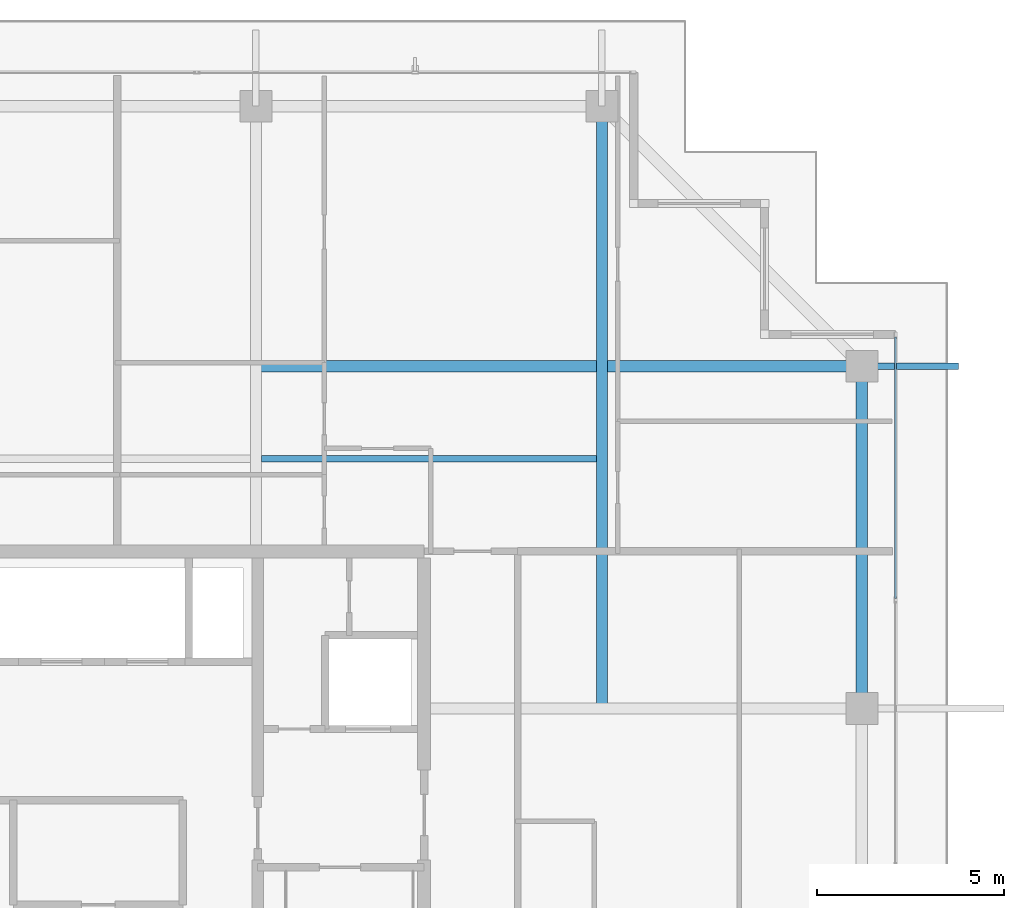
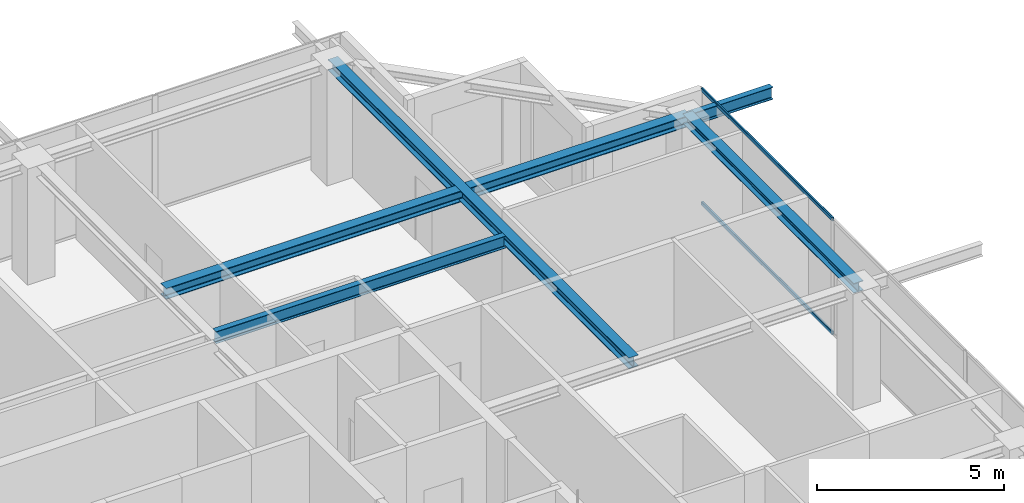
# One storey, part 21 of 36: 5 beams, 2 members, 1 element without a shape of its own.
"""IFC4 building model written with IfcOpenShell, lengths in metres."""

from ifc_helpers import new_model, si_unit, direction, frame, origin, origin_2d, place, context, subcontext, project, spatial, hollow_rectangle, i_section, extrude, source, transform, mapped, material, layer, layer_set, material_profile, profile_set, type_object, element, aggregate, save


model = new_model("IFC4")

# Units and contexts
model_context = context("Model", 3, precision=1e-05, world=origin(), true_north=direction((0.0, 1.0)))
body_context = subcontext(model_context, "Body", "Model", "MODEL_VIEW")
ifc_project = project(units=[si_unit("LENGTHUNIT", "METRE"), si_unit("AREAUNIT", "SQUARE_METRE"), si_unit("VOLUMEUNIT", "CUBIC_METRE"), si_unit("PLANEANGLEUNIT", "RADIAN"), si_unit("MASSUNIT", "GRAM", prefix="KILO")], contexts=[model_context])

# Site, building, storey
site_placement = place(None, origin())
site = spatial("IfcSite", under=ifc_project, at=site_placement, CompositionType="ELEMENT")
building_placement = place(site_placement, origin())
building = spatial("IfcBuilding", under=site, at=building_placement, Name="Serunith Strait Residences", CompositionType="ELEMENT")
storey_placement = place(building_placement, frame((0.0, 0.0, 338.0)))
storey = spatial("IfcBuildingStorey", under=building, at=storey_placement, Name="L84", CompositionType="ELEMENT", Elevation=338.0)

# Beams
ifc_material_1 = material(Name="Steel S355J2", Category="steel")
ifc_material_profile_1 = material_profile(ifc_material_1, i_section(OverallWidth=0.300048828125, OverallDepth=0.360107421875, WebThickness=0.012451171875, FlangeThickness=0.0224609375, FilletRadius=0.027099609375, at=origin_2d()), Name="HEB 360")
ifc_profile_set_1 = profile_set([ifc_material_profile_1], Name="Steel S355J2")
beam_type_1 = type_object("IfcBeamType", Name="BM-HEB360", PredefinedType="BEAM", material=ifc_profile_set_1)
shared_shape_1 = source(origin(), body_context, "Body", "SweptSolid", [
    extrude(i_section(OverallWidth=0.300048828125, OverallDepth=0.360107421875, WebThickness=0.012451171875, FlangeThickness=0.0224609375, FilletRadius=0.027099609375, at=origin_2d()), origin(), (0.0, 0.0, 1.0), 16.10009765625),
])
beam_1_placement = place(storey_placement, frame((46.14990234375, 29.39990234375, 3.60693359375), z_axis=(0.0, 1.0, 0.0), x_axis=(-1.0, 0.0, 0.0)))
element("IfcBeam", 1, at=beam_1_placement, inside=storey, type_object=beam_type_1, Name="L84 Orthogonal Corner Girder TC-N4", PredefinedType="BEAM", context=body_context, shape_type="MappedRepresentation", body=[
    mapped(shared_shape_1, transform((0.0, 0.0, 0.0), scale=1.0)),
])
shared_shape_2 = source(origin(), body_context, "Body", "SweptSolid", [
    extrude(i_section(OverallWidth=0.300048828125, OverallDepth=0.360107421875, WebThickness=0.012451171875, FlangeThickness=0.0224609375, FilletRadius=0.027099609375, at=origin_2d()), origin(), (0.0, 0.0, 1.0), 16.2001953125),
])
beam_2_placement = place(storey_placement, frame((36.89990234375, 38.550048828125, 3.60693359375), z_axis=(1.0, 0.0, 0.0), x_axis=(0.0, 1.0, 0.0)))
element("IfcBeam", 2, at=beam_2_placement, inside=storey, type_object=beam_type_1, Name="L84 Orthogonal Corner Girder TC-E4", PredefinedType="BEAM", context=body_context, shape_type="MappedRepresentation", body=[
    mapped(shared_shape_2, transform((0.0, 0.0, 0.0), scale=1.0)),
])
ifc_material_profile_2 = material_profile(ifc_material_1, i_section(OverallWidth=0.300048828125, OverallDepth=0.320068359375, WebThickness=0.011474609375, FlangeThickness=0.0205078125, FilletRadius=0.027099609375, at=origin_2d()), Name="HEB 320")
ifc_profile_set_2 = profile_set([ifc_material_profile_2], Name="Steel S355J2")
beam_type_2 = type_object("IfcBeamType", Name="BM-HEB320", PredefinedType="BEAM", material=ifc_profile_set_2)
shared_shape_3 = source(origin(), body_context, "Body", "SweptSolid", [
    extrude(i_section(OverallWidth=0.300048828125, OverallDepth=0.320068359375, WebThickness=0.011474609375, FlangeThickness=0.0205078125, FilletRadius=0.027099609375, at=origin_2d()), origin(), (0.0, 0.0, 1.0), 9.150146484375),
])
beam_3_placement = place(storey_placement, frame((53.10009765625, 29.39990234375, 3.626953125), z_axis=(0.0, 1.0, 0.0), x_axis=(-1.0, 0.0, 0.0)))
element("IfcBeam", 3, at=beam_3_placement, inside=storey, type_object=beam_type_2, Name="L84 Perimeter Ring Beam 07", PredefinedType="BEAM", context=body_context, shape_type="MappedRepresentation", body=[
    mapped(shared_shape_3, transform((0.0, 0.0, 0.0), scale=1.0)),
])
ifc_material_profile_3 = material_profile(ifc_material_1, i_section(OverallWidth=0.179931640625, OverallDepth=0.39990234375, WebThickness=0.008544921875, FlangeThickness=0.013427734375, FilletRadius=0.02099609375, at=origin_2d()), Name="IPE 400")
ifc_profile_set_3 = profile_set([ifc_material_profile_3], Name="Steel S355J2")
beam_type_3 = type_object("IfcBeamType", Name="BM-IPE400", PredefinedType="JOIST", material=ifc_profile_set_3)
shared_shape_4 = source(origin(), body_context, "Body", "SweptSolid", [
    extrude(i_section(OverallWidth=0.179931640625, OverallDepth=0.39990234375, WebThickness=0.008544921875, FlangeThickness=0.013427734375, FilletRadius=0.02099609375, at=origin_2d()), origin(), (0.0, 0.0, 1.0), 8.949951171875),
])
beam_4_placement = place(storey_placement, frame((37.050048828125, 36.074951171875, 3.5869140625), z_axis=(1.0, 0.0, 0.0), x_axis=(0.0, 1.0, 0.0)))
element("IfcBeam", 4, at=beam_4_placement, inside=storey, type_object=beam_type_3, Name="L84 Composite Floor Joist 06", PredefinedType="JOIST", context=body_context, shape_type="MappedRepresentation", body=[
    mapped(shared_shape_4, transform((0.0, 0.0, 0.0), scale=1.0)),
])
shared_shape_5 = source(origin(), body_context, "Body", "SweptSolid", [
    extrude(i_section(OverallWidth=0.179931640625, OverallDepth=0.39990234375, WebThickness=0.008544921875, FlangeThickness=0.013427734375, FilletRadius=0.02099609375, at=origin_2d()), origin(), (0.0, 0.0, 1.0), 2.58935546875),
])
beam_5_placement = place(storey_placement, frame((53.10009765625, 38.550048828125, 3.556884765625), z_axis=(1.0, 0.0, 0.0), x_axis=(0.0, 1.0, 0.0)))
element("IfcBeam", 5, at=beam_5_placement, inside=storey, type_object=beam_type_3, Name="L85 Cantilevered Balcony Rib TC-E4", PredefinedType="JOIST", context=body_context, shape_type="MappedRepresentation", body=[
    mapped(shared_shape_5, transform((0.0, 0.0, 0.0), scale=1.0)),
])

# Curtain wall, members
ifc_material_2 = material(Name="Brushed Stainless-Silver Aluminium", Category="aluminium")
ifc_layer = layer(ifc_material_2, 0.199951171875, Name="Brushed Stainless-Silver Aluminium")
ifc_layer_set = layer_set([ifc_layer], Name="Brushed Stainless-Silver Aluminium")
curtain_wall_type = type_object("IfcCurtainWallType", Name="CW-SYS5", PredefinedType="NOTDEFINED", material=ifc_layer_set)
curtain_wall_placement = place(storey_placement, origin())
curtain_wall = element("IfcCurtainWall", 6, at=curtain_wall_placement, inside=storey, type_object=curtain_wall_type, Name="L84 E Unitised Fritted Curtain Wall", PredefinedType="NOTDEFINED")
ifc_material_profile_4 = material_profile(ifc_material_2, hollow_rectangle(XDim=0.06005859375, YDim=0.1201171875, WallThickness=0.00341796875, InnerFilletRadius=0.00537109375, OuterFilletRadius=0.0087890625, at=origin_2d()), Name="ALU 120x60x3.5")
ifc_profile_set_4 = profile_set([ifc_material_profile_4], Name="Brushed Stainless-Silver Aluminium")
member_type = type_object("IfcMemberType", Name="CW-SYS5-TRAN", PredefinedType="USERDEFINED", material=ifc_profile_set_4)
shared_shape_6 = source(origin(), body_context, "Body", "SweptSolid", [
    extrude(hollow_rectangle(XDim=0.06005859375, YDim=0.1201171875, WallThickness=0.00341796875, InnerFilletRadius=0.00537109375, OuterFilletRadius=0.0087890625, at=origin_2d()), origin(), (0.0, 0.0, 1.0), 7.00244140625),
])
member_1_placement = place(storey_placement, frame((54.0, 32.33251953125, 0.030029296875), z_axis=(0.0, 1.0, 0.0), x_axis=(-1.0, 0.0, 0.0)))
member_1 = element("IfcMember", 7, at=member_1_placement, type_object=member_type, Name="CW-5 transom 4.1", ObjectType="TRANSOM", PredefinedType="USERDEFINED", context=body_context, shape_type="MappedRepresentation", body=[
    mapped(shared_shape_6, transform((0.0, 0.0, 0.0), scale=1.0)),
])
member_2_placement = place(storey_placement, frame((54.0, 32.33251953125, 3.7451171875), z_axis=(0.0, 1.0, 0.0), x_axis=(-1.0, 0.0, 0.0)))
member_2 = element("IfcMember", 8, at=member_2_placement, type_object=member_type, Name="CW-5 transom 4.2", ObjectType="TRANSOM", PredefinedType="USERDEFINED", context=body_context, shape_type="MappedRepresentation", body=[
    mapped(shared_shape_6, transform((0.0, 0.0, 0.0), scale=1.0)),
])
aggregate(curtain_wall, [member_1, member_2])

save(model, "model.ifc")
